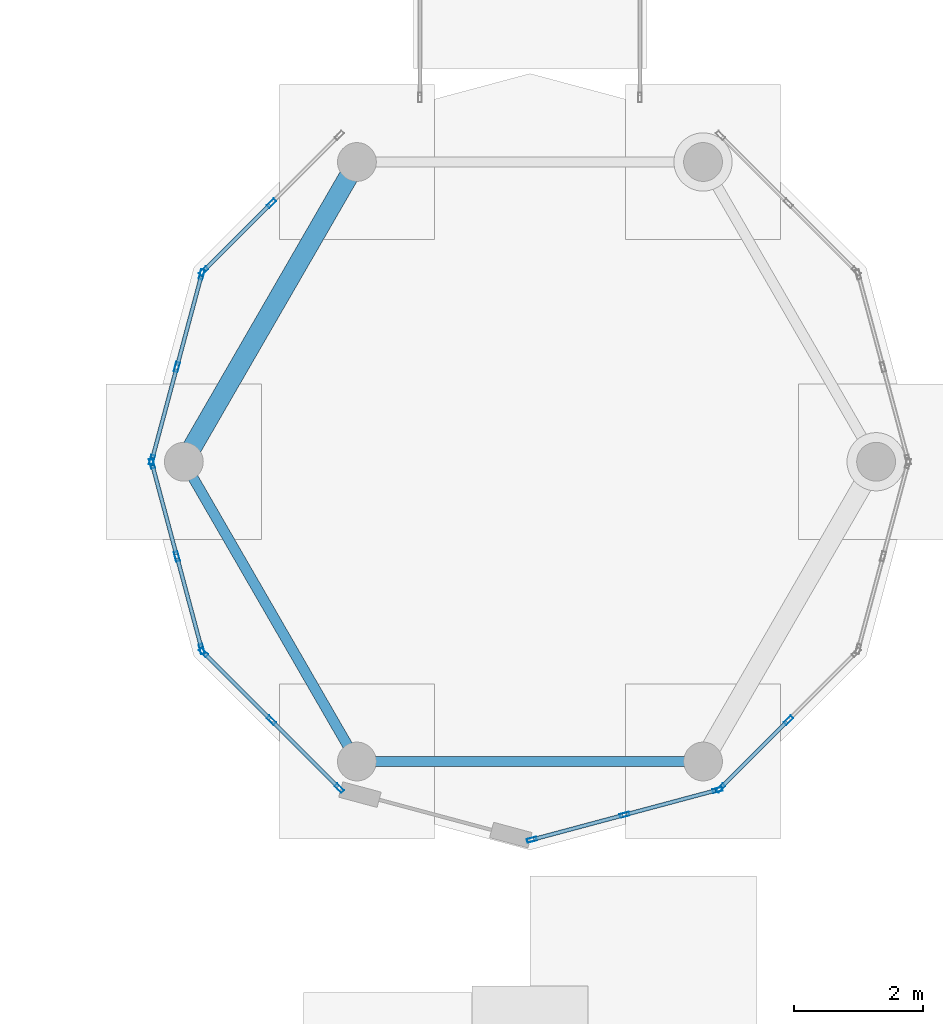
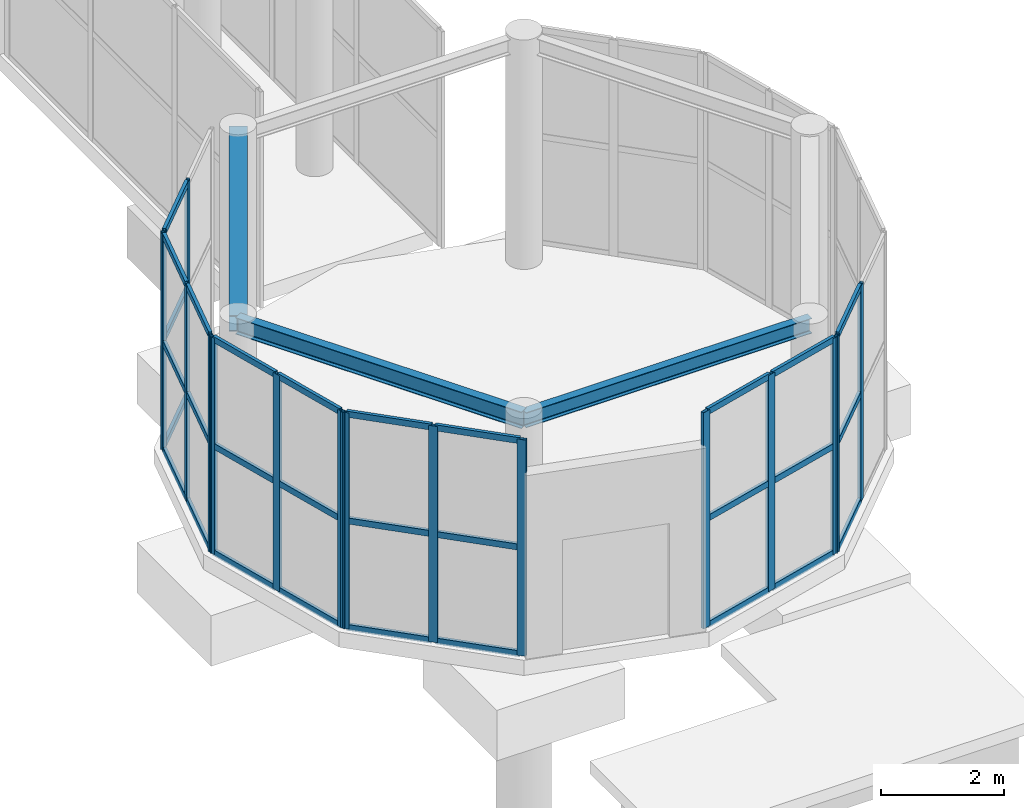
# One storey, part 52 of 139: 46 members, 3 beams, 6 elements without a shape of their own.
"""IFC4 building model written with IfcOpenShell, lengths in metres."""

from ifc_helpers import new_model, si_unit, direction, frame, origin, origin_2d, place, context, subcontext, project, spatial, hollow_rectangle, i_section, extrude, material, layer, layer_set, material_profile, profile_set, type_object, element, aggregate, save


model = new_model("IFC4")

# Units and contexts
model_context = context("Model", 3, precision=1e-05, world=origin(), true_north=direction((0.0, 1.0)))
body_context = subcontext(model_context, "Body", "Model", "MODEL_VIEW")
ifc_project = project(units=[si_unit("LENGTHUNIT", "METRE"), si_unit("AREAUNIT", "SQUARE_METRE"), si_unit("VOLUMEUNIT", "CUBIC_METRE"), si_unit("PLANEANGLEUNIT", "RADIAN"), si_unit("MASSUNIT", "GRAM", prefix="KILO")], contexts=[model_context])

# Site, building, storey
site_placement = place(None, origin())
site = spatial("IfcSite", under=ifc_project, at=site_placement, CompositionType="ELEMENT")
building_placement = place(site_placement, origin())
building = spatial("IfcBuilding", under=site, at=building_placement, Name="Zizhar Promenade General Hospital", CompositionType="ELEMENT")
storey_placement = place(building_placement, origin())
storey = spatial("IfcBuildingStorey", under=building, at=storey_placement, Name="L00", CompositionType="ELEMENT", Elevation=0.0)

# Beams
ifc_material_1 = material(Name="Steel S355", Category="steel")
ifc_material_profile_1 = material_profile(ifc_material_1, i_section(OverallWidth=0.300048828125, OverallDepth=0.320068359375, WebThickness=0.011474609375, FlangeThickness=0.0205078125, FilletRadius=0.027099609375, at=origin_2d()))
ifc_profile_set_1 = profile_set([ifc_material_profile_1], Name="Steel S355")
beam_type_1 = type_object("IfcBeamType", Name="BM-STL-HEB320", PredefinedType="BEAM", material=ifc_profile_set_1)
beam_1_placement = place(storey_placement, frame((180.324951171875, 32.63330078125, 4.340087890625), z_axis=(-0.500001594578, -0.866024483152, 0.0), x_axis=(0.866024483152, -0.500001594578, 0.0)))
element("IfcBeam", 1, at=beam_1_placement, inside=storey, type_object=beam_type_1, Name="PAV-3 Roof Ring Beam 3", PredefinedType="BEAM", context=body_context, shape_type="SweptSolid", body=[
    extrude(i_section(OverallWidth=0.300048828125, OverallDepth=0.320068359375, WebThickness=0.011474609375, FlangeThickness=0.0205078125, FilletRadius=0.027099609375, at=origin_2d()), origin(), (0.0, 0.0, 1.0), 5.35009765625),
])
ifc_material_2 = material(Name="Steel S355", Category="steel")
ifc_material_profile_2 = material_profile(ifc_material_2, i_section(OverallWidth=0.14990234375, OverallDepth=0.300048828125, WebThickness=0.007080078125, FlangeThickness=0.0107421875, FilletRadius=0.014892578125, at=origin_2d()))
ifc_profile_set_2 = profile_set([ifc_material_profile_2], Name="Steel S355")
beam_type_2 = type_object("IfcBeamType", Name="BM-STL-IPE300", PredefinedType="JOIST", material=ifc_profile_set_2)
beam_2_placement = place(storey_placement, frame((180.324951171875, 23.36669921875, 4.340087890625), z_axis=(1.0, 0.0, 0.0), x_axis=(0.0, 1.0, 0.0)))
element("IfcBeam", 2, at=beam_2_placement, inside=storey, type_object=beam_type_2, Name="PAV-3 Roof Ring Beam 5", PredefinedType="JOIST", context=body_context, shape_type="SweptSolid", body=[
    extrude(i_section(OverallWidth=0.14990234375, OverallDepth=0.300048828125, WebThickness=0.007080078125, FlangeThickness=0.0107421875, FilletRadius=0.014892578125, at=origin_2d()), origin(), (0.0, 0.0, 1.0), 5.35009765625),
])
ifc_material_3 = material(Name="Steel S355", Category="steel")
ifc_material_profile_3 = material_profile(ifc_material_3, i_section(OverallWidth=0.159912109375, OverallDepth=0.330078125, WebThickness=0.007568359375, FlangeThickness=0.011474609375, FilletRadius=0.01806640625, at=origin_2d()))
ifc_profile_set_3 = profile_set([ifc_material_profile_3], Name="Steel S355")
beam_type_3 = type_object("IfcBeamType", Name="BM-STL-IPE330", PredefinedType="JOIST", material=ifc_profile_set_3)
beam_3_placement = place(storey_placement, frame((177.64990234375, 28.0, 4.340087890625), z_axis=(0.500001594578, -0.866024483152, 0.0), x_axis=(0.866024483152, 0.500001594578, 0.0)))
element("IfcBeam", 3, at=beam_3_placement, inside=storey, type_object=beam_type_3, Name="PAV-3 Roof Ring Beam 4", PredefinedType="JOIST", context=body_context, shape_type="SweptSolid", body=[
    extrude(i_section(OverallWidth=0.159912109375, OverallDepth=0.330078125, WebThickness=0.007568359375, FlangeThickness=0.011474609375, FilletRadius=0.01806640625, at=origin_2d()), origin(), (0.0, 0.0, 1.0), 5.35009765625),
])

# Curtain wall, members
ifc_material_4 = material(Name="Anodised aluminium 6063-T6 and low-E glass", Category="aluminium")
ifc_layer = layer(ifc_material_4, 0.159912109375)
ifc_layer_set = layer_set([ifc_layer], Name="Anodised aluminium 6063-T6 and low-E glass")
curtain_wall_type = type_object("IfcCurtainWallType", Name="CW-PAV-GLZ", PredefinedType="NOTDEFINED", material=ifc_layer_set)
curtain_wall_1_placement = place(storey_placement, origin())
curtain_wall_1 = element("IfcCurtainWall", 4, at=curtain_wall_1_placement, inside=storey, type_object=curtain_wall_type, Name="Community Health Information Pavilion Curved Glazing 5", PredefinedType="NOTDEFINED")
ifc_material_5 = material(Name="Anodised aluminium 6063-T6", Category="aluminium")
ifc_material_profile_4 = material_profile(ifc_material_5, hollow_rectangle(XDim=0.06005859375, YDim=0.14990234375, WallThickness=0.00390625, at=origin_2d()))
ifc_profile_set_4 = profile_set([ifc_material_profile_4], Name="Anodised aluminium 6063-T6")
member_type_1 = type_object("IfcMemberType", Name="CWM-ALU-150x60", PredefinedType="MULLION", material=ifc_profile_set_4)
member_1_placement = place(storey_placement, frame((177.955078125, 30.9462890625, 0.0), z_axis=(0.0, 0.0, 1.0), x_axis=(-0.707106781187, 0.707106781187, 0.0)))
member_1 = element("IfcMember", 5, at=member_1_placement, type_object=member_type_1, Name="CW-14 mullion 1", PredefinedType="MULLION", context=body_context, shape_type="SweptSolid", body=[
    extrude(hollow_rectangle(XDim=0.06005859375, YDim=0.14990234375, WallThickness=0.00390625, at=origin_2d()), origin(), (0.0, 0.0, 1.0), 4.280029296875),
])
member_2_placement = place(storey_placement, frame((179.00439453125, 31.99560546875, 0.0), z_axis=(0.0, 0.0, 1.0), x_axis=(-0.707106781187, 0.707106781187, 0.0)))
member_2 = element("IfcMember", 6, at=member_2_placement, type_object=member_type_1, Name="CW-14 mullion 2", PredefinedType="MULLION", context=body_context, shape_type="SweptSolid", body=[
    extrude(hollow_rectangle(XDim=0.06005859375, YDim=0.14990234375, WallThickness=0.00390625, at=origin_2d()), origin(), (0.0, 0.0, 1.0), 4.280029296875),
])

curtain_wall_2_placement = place(storey_placement, origin())
curtain_wall_2 = element("IfcCurtainWall", 7, at=curtain_wall_2_placement, inside=storey, type_object=curtain_wall_type, Name="Community Health Information Pavilion Curved Glazing 6", PredefinedType="NOTDEFINED")
member_3_placement = place(storey_placement, frame((177.15771484375, 28.029052734375, 0.0), z_axis=(0.0, 0.0, 1.0), x_axis=(-0.965921812881, 0.25883402288, 0.0)))
member_3 = element("IfcMember", 8, at=member_3_placement, type_object=member_type_1, Name="CW-14 mullion 1", PredefinedType="MULLION", context=body_context, shape_type="SweptSolid", body=[
    extrude(hollow_rectangle(XDim=0.06005859375, YDim=0.14990234375, WallThickness=0.00390625, at=origin_2d()), origin(), (0.0, 0.0, 1.0), 4.280029296875),
])
member_4_placement = place(storey_placement, frame((177.5419921875, 29.46240234375, 0.0), z_axis=(0.0, 0.0, 1.0), x_axis=(-0.965921812881, 0.25883402288, 0.0)))
member_4 = element("IfcMember", 9, at=member_4_placement, type_object=member_type_1, Name="CW-14 mullion 2", PredefinedType="MULLION", context=body_context, shape_type="SweptSolid", body=[
    extrude(hollow_rectangle(XDim=0.06005859375, YDim=0.14990234375, WallThickness=0.00390625, at=origin_2d()), origin(), (0.0, 0.0, 1.0), 4.280029296875),
])
member_5_placement = place(storey_placement, frame((177.926025390625, 30.89599609375, 0.0), z_axis=(0.0, 0.0, 1.0), x_axis=(-0.965921812881, 0.25883402288, 0.0)))
member_5 = element("IfcMember", 10, at=member_5_placement, type_object=member_type_1, Name="CW-14 mullion 3", PredefinedType="MULLION", context=body_context, shape_type="SweptSolid", body=[
    extrude(hollow_rectangle(XDim=0.06005859375, YDim=0.14990234375, WallThickness=0.00390625, at=origin_2d()), origin(), (0.0, 0.0, 1.0), 4.280029296875),
])

curtain_wall_3_placement = place(storey_placement, origin())
curtain_wall_3 = element("IfcCurtainWall", 11, at=curtain_wall_3_placement, inside=storey, type_object=curtain_wall_type, Name="Community Health Information Pavilion Curved Glazing 7", PredefinedType="NOTDEFINED")
member_6_placement = place(storey_placement, frame((177.926025390625, 25.10400390625, 0.0), z_axis=(0.0, 0.0, 1.0), x_axis=(-0.965921812881, -0.25883402288, 0.0)))
member_6 = element("IfcMember", 12, at=member_6_placement, type_object=member_type_1, Name="CW-14 mullion 1", PredefinedType="MULLION", context=body_context, shape_type="SweptSolid", body=[
    extrude(hollow_rectangle(XDim=0.06005859375, YDim=0.14990234375, WallThickness=0.00390625, at=origin_2d()), origin(), (0.0, 0.0, 1.0), 4.280029296875),
])
member_7_placement = place(storey_placement, frame((177.5419921875, 26.53759765625, 0.0), z_axis=(0.0, 0.0, 1.0), x_axis=(-0.965921812881, -0.25883402288, 0.0)))
member_7 = element("IfcMember", 13, at=member_7_placement, type_object=member_type_1, Name="CW-14 mullion 2", PredefinedType="MULLION", context=body_context, shape_type="SweptSolid", body=[
    extrude(hollow_rectangle(XDim=0.06005859375, YDim=0.14990234375, WallThickness=0.00390625, at=origin_2d()), origin(), (0.0, 0.0, 1.0), 4.280029296875),
])
member_8_placement = place(storey_placement, frame((177.15771484375, 27.970947265625, 0.0), z_axis=(0.0, 0.0, 1.0), x_axis=(-0.965921812881, -0.25883402288, 0.0)))
member_8 = element("IfcMember", 14, at=member_8_placement, type_object=member_type_1, Name="CW-14 mullion 3", PredefinedType="MULLION", context=body_context, shape_type="SweptSolid", body=[
    extrude(hollow_rectangle(XDim=0.06005859375, YDim=0.14990234375, WallThickness=0.00390625, at=origin_2d()), origin(), (0.0, 0.0, 1.0), 4.280029296875),
])

curtain_wall_4_placement = place(storey_placement, origin())
curtain_wall_4 = element("IfcCurtainWall", 15, at=curtain_wall_4_placement, inside=storey, type_object=curtain_wall_type, Name="Community Health Information Pavilion Curved Glazing 8", PredefinedType="NOTDEFINED")
member_9_placement = place(storey_placement, frame((180.0537109375, 22.955078125, 0.0), z_axis=(0.0, 0.0, 1.0), x_axis=(-0.707106781187, -0.707106781187, 0.0)))
member_9 = element("IfcMember", 16, at=member_9_placement, type_object=member_type_1, Name="CW-14 mullion 1", PredefinedType="MULLION", context=body_context, shape_type="SweptSolid", body=[
    extrude(hollow_rectangle(XDim=0.06005859375, YDim=0.14990234375, WallThickness=0.00390625, at=origin_2d()), origin(), (0.0, 0.0, 1.0), 4.280029296875),
])
member_10_placement = place(storey_placement, frame((179.00439453125, 24.00439453125, 0.0), z_axis=(0.0, 0.0, 1.0), x_axis=(-0.707106781187, -0.707106781187, 0.0)))
member_10 = element("IfcMember", 17, at=member_10_placement, type_object=member_type_1, Name="CW-14 mullion 2", PredefinedType="MULLION", context=body_context, shape_type="SweptSolid", body=[
    extrude(hollow_rectangle(XDim=0.06005859375, YDim=0.14990234375, WallThickness=0.00390625, at=origin_2d()), origin(), (0.0, 0.0, 1.0), 4.280029296875),
])
member_11_placement = place(storey_placement, frame((177.955078125, 25.0537109375, 0.0), z_axis=(0.0, 0.0, 1.0), x_axis=(-0.707106781187, -0.707106781187, 0.0)))
member_11 = element("IfcMember", 18, at=member_11_placement, type_object=member_type_1, Name="CW-14 mullion 3", PredefinedType="MULLION", context=body_context, shape_type="SweptSolid", body=[
    extrude(hollow_rectangle(XDim=0.06005859375, YDim=0.14990234375, WallThickness=0.00390625, at=origin_2d()), origin(), (0.0, 0.0, 1.0), 4.280029296875),
])

curtain_wall_5_placement = place(storey_placement, origin())
curtain_wall_5 = element("IfcCurtainWall", 19, at=curtain_wall_5_placement, inside=storey, type_object=curtain_wall_type, Name="Community Health Information Pavilion Curved Glazing 10", PredefinedType="NOTDEFINED")
member_12_placement = place(storey_placement, frame((185.89599609375, 22.926025390625, 0.0), z_axis=(0.0, 0.0, 1.0), x_axis=(0.25883402288, -0.965921812881, 0.0)))
member_12 = element("IfcMember", 20, at=member_12_placement, type_object=member_type_1, Name="CW-14 mullion 1", PredefinedType="MULLION", context=body_context, shape_type="SweptSolid", body=[
    extrude(hollow_rectangle(XDim=0.06005859375, YDim=0.14990234375, WallThickness=0.00390625, at=origin_2d()), origin(), (0.0, 0.0, 1.0), 4.280029296875),
])
member_13_placement = place(storey_placement, frame((184.46240234375, 22.5419921875, 0.0), z_axis=(0.0, 0.0, 1.0), x_axis=(0.25883402288, -0.965921812881, 0.0)))
member_13 = element("IfcMember", 21, at=member_13_placement, type_object=member_type_1, Name="CW-14 mullion 2", PredefinedType="MULLION", context=body_context, shape_type="SweptSolid", body=[
    extrude(hollow_rectangle(XDim=0.06005859375, YDim=0.14990234375, WallThickness=0.00390625, at=origin_2d()), origin(), (0.0, 0.0, 1.0), 4.280029296875),
])
member_14_placement = place(storey_placement, frame((183.029052734375, 22.15771484375, 0.0), z_axis=(0.0, 0.0, 1.0), x_axis=(0.25883402288, -0.965921812881, 0.0)))
member_14 = element("IfcMember", 22, at=member_14_placement, type_object=member_type_1, Name="CW-14 mullion 3", PredefinedType="MULLION", context=body_context, shape_type="SweptSolid", body=[
    extrude(hollow_rectangle(XDim=0.06005859375, YDim=0.14990234375, WallThickness=0.00390625, at=origin_2d()), origin(), (0.0, 0.0, 1.0), 4.280029296875),
])

curtain_wall_6_placement = place(storey_placement, origin())
curtain_wall_6 = element("IfcCurtainWall", 23, at=curtain_wall_6_placement, inside=storey, type_object=curtain_wall_type, Name="Community Health Information Pavilion Curved Glazing 11", PredefinedType="NOTDEFINED")
member_15_placement = place(storey_placement, frame((186.99560546875, 24.00439453125, 0.0), z_axis=(0.0, 0.0, 1.0), x_axis=(0.707106781187, -0.707106781187, 0.0)))
member_15 = element("IfcMember", 24, at=member_15_placement, type_object=member_type_1, Name="CW-14 mullion 2", PredefinedType="MULLION", context=body_context, shape_type="SweptSolid", body=[
    extrude(hollow_rectangle(XDim=0.06005859375, YDim=0.14990234375, WallThickness=0.00390625, at=origin_2d()), origin(), (0.0, 0.0, 1.0), 4.280029296875),
])
member_16_placement = place(storey_placement, frame((185.9462890625, 22.955078125, 0.0), z_axis=(0.0, 0.0, 1.0), x_axis=(0.707106781187, -0.707106781187, 0.0)))
member_16 = element("IfcMember", 25, at=member_16_placement, type_object=member_type_1, Name="CW-14 mullion 3", PredefinedType="MULLION", context=body_context, shape_type="SweptSolid", body=[
    extrude(hollow_rectangle(XDim=0.06005859375, YDim=0.14990234375, WallThickness=0.00390625, at=origin_2d()), origin(), (0.0, 0.0, 1.0), 4.280029296875),
])

# Member
ifc_material_6 = material(Name="Anodised aluminium 6063-T6", Category="aluminium")
ifc_material_profile_5 = material_profile(ifc_material_6, hollow_rectangle(XDim=0.06005859375, YDim=0.1201171875, WallThickness=0.00390625, at=origin_2d()))
ifc_profile_set_5 = profile_set([ifc_material_profile_5], Name="Anodised aluminium 6063-T6")
member_type_2 = type_object("IfcMemberType", Name="CWT-ALU-120x60", PredefinedType="USERDEFINED", material=ifc_profile_set_5)
member_17_placement = place(storey_placement, frame((177.976318359375, 30.967529296875, 0.030029296875), z_axis=(0.707106781187, 0.707106781187, 0.0), x_axis=(-0.707106781187, 0.707106781187, 0.0)))
member_17 = element("IfcMember", 26, at=member_17_placement, type_object=member_type_2, Name="CW-14 transom 1.1", ObjectType="TRANSOM", PredefinedType="USERDEFINED", context=body_context, shape_type="SweptSolid", body=[
    extrude(hollow_rectangle(XDim=0.06005859375, YDim=0.1201171875, WallThickness=0.00390625, at=origin_2d()), origin(), (0.0, 0.0, 1.0), 1.423828125),
])

member_18_placement = place(storey_placement, frame((177.976318359375, 30.967529296875, 2.139892578125), z_axis=(0.707106781187, 0.707106781187, 0.0), x_axis=(-0.707106781187, 0.707106781187, 0.0)))
member_18 = element("IfcMember", 27, at=member_18_placement, type_object=member_type_2, Name="CW-14 transom 1.2", ObjectType="TRANSOM", PredefinedType="USERDEFINED", context=body_context, shape_type="SweptSolid", body=[
    extrude(hollow_rectangle(XDim=0.06005859375, YDim=0.1201171875, WallThickness=0.00390625, at=origin_2d()), origin(), (0.0, 0.0, 1.0), 1.423828125),
])

member_19_placement = place(storey_placement, frame((177.976318359375, 30.967529296875, 4.25), z_axis=(0.707106781187, 0.707106781187, 0.0), x_axis=(-0.707106781187, 0.707106781187, 0.0)))
member_19 = element("IfcMember", 28, at=member_19_placement, type_object=member_type_2, Name="CW-14 transom 1.3", ObjectType="TRANSOM", PredefinedType="USERDEFINED", context=body_context, shape_type="SweptSolid", body=[
    extrude(hollow_rectangle(XDim=0.06005859375, YDim=0.1201171875, WallThickness=0.00390625, at=origin_2d()), origin(), (0.0, 0.0, 1.0), 1.423828125),
])

aggregate(curtain_wall_1, [member_1, member_2, member_17, member_18, member_19])

member_20_placement = place(storey_placement, frame((177.16552734375, 28.057861328125, 0.030029296875), z_axis=(0.258836045938, 0.965921270769, 0.0), x_axis=(-0.965921270769, 0.258836045938, 0.0)))
member_20 = element("IfcMember", 29, at=member_20_placement, type_object=member_type_2, Name="CW-14 transom 1.1", ObjectType="TRANSOM", PredefinedType="USERDEFINED", context=body_context, shape_type="SweptSolid", body=[
    extrude(hollow_rectangle(XDim=0.06005859375, YDim=0.1201171875, WallThickness=0.00390625, at=origin_2d()), origin(), (0.0, 0.0, 1.0), 1.42431640625),
])

member_21_placement = place(storey_placement, frame((177.16552734375, 28.057861328125, 2.139892578125), z_axis=(0.258836045938, 0.965921270769, 0.0), x_axis=(-0.965921270769, 0.258836045938, 0.0)))
member_21 = element("IfcMember", 30, at=member_21_placement, type_object=member_type_2, Name="CW-14 transom 1.2", ObjectType="TRANSOM", PredefinedType="USERDEFINED", context=body_context, shape_type="SweptSolid", body=[
    extrude(hollow_rectangle(XDim=0.06005859375, YDim=0.1201171875, WallThickness=0.00390625, at=origin_2d()), origin(), (0.0, 0.0, 1.0), 1.42431640625),
])

member_22_placement = place(storey_placement, frame((177.16552734375, 28.057861328125, 4.25), z_axis=(0.258836045938, 0.965921270769, 0.0), x_axis=(-0.965921270769, 0.258836045938, 0.0)))
member_22 = element("IfcMember", 31, at=member_22_placement, type_object=member_type_2, Name="CW-14 transom 1.3", ObjectType="TRANSOM", PredefinedType="USERDEFINED", context=body_context, shape_type="SweptSolid", body=[
    extrude(hollow_rectangle(XDim=0.06005859375, YDim=0.1201171875, WallThickness=0.00390625, at=origin_2d()), origin(), (0.0, 0.0, 1.0), 1.42431640625),
])

member_23_placement = place(storey_placement, frame((177.549560546875, 29.491455078125, 0.030029296875), z_axis=(0.258878909043, 0.965909783806, 0.0), x_axis=(-0.965909783806, 0.258878909043, 0.0)))
member_23 = element("IfcMember", 32, at=member_23_placement, type_object=member_type_2, Name="CW-14 transom 2.1", ObjectType="TRANSOM", PredefinedType="USERDEFINED", context=body_context, shape_type="SweptSolid", body=[
    extrude(hollow_rectangle(XDim=0.06005859375, YDim=0.1201171875, WallThickness=0.00390625, at=origin_2d()), origin(), (0.0, 0.0, 1.0), 1.424072265625),
])

member_24_placement = place(storey_placement, frame((177.549560546875, 29.491455078125, 2.139892578125), z_axis=(0.258878909043, 0.965909783806, 0.0), x_axis=(-0.965909783806, 0.258878909043, 0.0)))
member_24 = element("IfcMember", 33, at=member_24_placement, type_object=member_type_2, Name="CW-14 transom 2.2", ObjectType="TRANSOM", PredefinedType="USERDEFINED", context=body_context, shape_type="SweptSolid", body=[
    extrude(hollow_rectangle(XDim=0.06005859375, YDim=0.1201171875, WallThickness=0.00390625, at=origin_2d()), origin(), (0.0, 0.0, 1.0), 1.424072265625),
])

member_25_placement = place(storey_placement, frame((177.549560546875, 29.491455078125, 4.25), z_axis=(0.258878909043, 0.965909783806, 0.0), x_axis=(-0.965909783806, 0.258878909043, 0.0)))
member_25 = element("IfcMember", 34, at=member_25_placement, type_object=member_type_2, Name="CW-14 transom 2.3", ObjectType="TRANSOM", PredefinedType="USERDEFINED", context=body_context, shape_type="SweptSolid", body=[
    extrude(hollow_rectangle(XDim=0.06005859375, YDim=0.1201171875, WallThickness=0.00390625, at=origin_2d()), origin(), (0.0, 0.0, 1.0), 1.424072265625),
])

aggregate(curtain_wall_2, [member_3, member_4, member_5, member_20, member_21, member_22, member_23, member_24, member_25])

member_26_placement = place(storey_placement, frame((177.918212890625, 25.133056640625, 0.030029296875), z_axis=(-0.258878909043, 0.965909783806, 0.0), x_axis=(-0.965909783806, -0.258878909043, 0.0)))
member_26 = element("IfcMember", 35, at=member_26_placement, type_object=member_type_2, Name="CW-14 transom 1.1", ObjectType="TRANSOM", PredefinedType="USERDEFINED", context=body_context, shape_type="SweptSolid", body=[
    extrude(hollow_rectangle(XDim=0.06005859375, YDim=0.1201171875, WallThickness=0.00390625, at=origin_2d()), origin(), (0.0, 0.0, 1.0), 1.424072265625),
])

member_27_placement = place(storey_placement, frame((177.918212890625, 25.133056640625, 2.139892578125), z_axis=(-0.258878909043, 0.965909783806, 0.0), x_axis=(-0.965909783806, -0.258878909043, 0.0)))
member_27 = element("IfcMember", 36, at=member_27_placement, type_object=member_type_2, Name="CW-14 transom 1.2", ObjectType="TRANSOM", PredefinedType="USERDEFINED", context=body_context, shape_type="SweptSolid", body=[
    extrude(hollow_rectangle(XDim=0.06005859375, YDim=0.1201171875, WallThickness=0.00390625, at=origin_2d()), origin(), (0.0, 0.0, 1.0), 1.424072265625),
])

member_28_placement = place(storey_placement, frame((177.918212890625, 25.133056640625, 4.25), z_axis=(-0.258878909043, 0.965909783806, 0.0), x_axis=(-0.965909783806, -0.258878909043, 0.0)))
member_28 = element("IfcMember", 37, at=member_28_placement, type_object=member_type_2, Name="CW-14 transom 1.3", ObjectType="TRANSOM", PredefinedType="USERDEFINED", context=body_context, shape_type="SweptSolid", body=[
    extrude(hollow_rectangle(XDim=0.06005859375, YDim=0.1201171875, WallThickness=0.00390625, at=origin_2d()), origin(), (0.0, 0.0, 1.0), 1.424072265625),
])

member_29_placement = place(storey_placement, frame((177.5341796875, 26.56640625, 0.030029296875), z_axis=(-0.258836045938, 0.965921270769, 0.0), x_axis=(-0.965921270769, -0.258836045938, 0.0)))
member_29 = element("IfcMember", 38, at=member_29_placement, type_object=member_type_2, Name="CW-14 transom 2.1", ObjectType="TRANSOM", PredefinedType="USERDEFINED", context=body_context, shape_type="SweptSolid", body=[
    extrude(hollow_rectangle(XDim=0.06005859375, YDim=0.1201171875, WallThickness=0.00390625, at=origin_2d()), origin(), (0.0, 0.0, 1.0), 1.42431640625),
])

member_30_placement = place(storey_placement, frame((177.5341796875, 26.56640625, 2.139892578125), z_axis=(-0.258836045938, 0.965921270769, 0.0), x_axis=(-0.965921270769, -0.258836045938, 0.0)))
member_30 = element("IfcMember", 39, at=member_30_placement, type_object=member_type_2, Name="CW-14 transom 2.2", ObjectType="TRANSOM", PredefinedType="USERDEFINED", context=body_context, shape_type="SweptSolid", body=[
    extrude(hollow_rectangle(XDim=0.06005859375, YDim=0.1201171875, WallThickness=0.00390625, at=origin_2d()), origin(), (0.0, 0.0, 1.0), 1.42431640625),
])

member_31_placement = place(storey_placement, frame((177.5341796875, 26.56640625, 4.25), z_axis=(-0.258836045938, 0.965921270769, 0.0), x_axis=(-0.965921270769, -0.258836045938, 0.0)))
member_31 = element("IfcMember", 40, at=member_31_placement, type_object=member_type_2, Name="CW-14 transom 2.3", ObjectType="TRANSOM", PredefinedType="USERDEFINED", context=body_context, shape_type="SweptSolid", body=[
    extrude(hollow_rectangle(XDim=0.06005859375, YDim=0.1201171875, WallThickness=0.00390625, at=origin_2d()), origin(), (0.0, 0.0, 1.0), 1.42431640625),
])

aggregate(curtain_wall_3, [member_6, member_7, member_8, member_26, member_27, member_28, member_29, member_30, member_31])

member_32_placement = place(storey_placement, frame((180.032470703125, 22.976318359375, 0.030029296875), z_axis=(-0.707106781187, 0.707106781187, 0.0), x_axis=(-0.707106781187, -0.707106781187, 0.0)))
member_32 = element("IfcMember", 41, at=member_32_placement, type_object=member_type_2, Name="CW-14 transom 1.1", ObjectType="TRANSOM", PredefinedType="USERDEFINED", context=body_context, shape_type="SweptSolid", body=[
    extrude(hollow_rectangle(XDim=0.06005859375, YDim=0.1201171875, WallThickness=0.00390625, at=origin_2d()), origin(), (0.0, 0.0, 1.0), 1.423828125),
])

member_33_placement = place(storey_placement, frame((180.032470703125, 22.976318359375, 2.139892578125), z_axis=(-0.707106781187, 0.707106781187, 0.0), x_axis=(-0.707106781187, -0.707106781187, 0.0)))
member_33 = element("IfcMember", 42, at=member_33_placement, type_object=member_type_2, Name="CW-14 transom 1.2", ObjectType="TRANSOM", PredefinedType="USERDEFINED", context=body_context, shape_type="SweptSolid", body=[
    extrude(hollow_rectangle(XDim=0.06005859375, YDim=0.1201171875, WallThickness=0.00390625, at=origin_2d()), origin(), (0.0, 0.0, 1.0), 1.423828125),
])

member_34_placement = place(storey_placement, frame((180.032470703125, 22.976318359375, 4.25), z_axis=(-0.707106781187, 0.707106781187, 0.0), x_axis=(-0.707106781187, -0.707106781187, 0.0)))
member_34 = element("IfcMember", 43, at=member_34_placement, type_object=member_type_2, Name="CW-14 transom 1.3", ObjectType="TRANSOM", PredefinedType="USERDEFINED", context=body_context, shape_type="SweptSolid", body=[
    extrude(hollow_rectangle(XDim=0.06005859375, YDim=0.1201171875, WallThickness=0.00390625, at=origin_2d()), origin(), (0.0, 0.0, 1.0), 1.423828125),
])

member_35_placement = place(storey_placement, frame((178.983154296875, 24.025634765625, 0.030029296875), z_axis=(-0.707106781187, 0.707106781187, 0.0), x_axis=(-0.707106781187, -0.707106781187, 0.0)))
member_35 = element("IfcMember", 44, at=member_35_placement, type_object=member_type_2, Name="CW-14 transom 2.1", ObjectType="TRANSOM", PredefinedType="USERDEFINED", context=body_context, shape_type="SweptSolid", body=[
    extrude(hollow_rectangle(XDim=0.06005859375, YDim=0.1201171875, WallThickness=0.00390625, at=origin_2d()), origin(), (0.0, 0.0, 1.0), 1.423828125),
])

member_36_placement = place(storey_placement, frame((178.983154296875, 24.025634765625, 2.139892578125), z_axis=(-0.707106781187, 0.707106781187, 0.0), x_axis=(-0.707106781187, -0.707106781187, 0.0)))
member_36 = element("IfcMember", 45, at=member_36_placement, type_object=member_type_2, Name="CW-14 transom 2.2", ObjectType="TRANSOM", PredefinedType="USERDEFINED", context=body_context, shape_type="SweptSolid", body=[
    extrude(hollow_rectangle(XDim=0.06005859375, YDim=0.1201171875, WallThickness=0.00390625, at=origin_2d()), origin(), (0.0, 0.0, 1.0), 1.423828125),
])

member_37_placement = place(storey_placement, frame((178.983154296875, 24.025634765625, 4.25), z_axis=(-0.707106781187, 0.707106781187, 0.0), x_axis=(-0.707106781187, -0.707106781187, 0.0)))
member_37 = element("IfcMember", 46, at=member_37_placement, type_object=member_type_2, Name="CW-14 transom 2.3", ObjectType="TRANSOM", PredefinedType="USERDEFINED", context=body_context, shape_type="SweptSolid", body=[
    extrude(hollow_rectangle(XDim=0.06005859375, YDim=0.1201171875, WallThickness=0.00390625, at=origin_2d()), origin(), (0.0, 0.0, 1.0), 1.423828125),
])

aggregate(curtain_wall_4, [member_9, member_10, member_11, member_32, member_33, member_34, member_35, member_36, member_37])

member_38_placement = place(storey_placement, frame((185.866943359375, 22.918212890625, 0.030029296875), z_axis=(-0.965909783806, -0.258878909043, 0.0), x_axis=(0.258878909043, -0.965909783806, 0.0)))
member_38 = element("IfcMember", 47, at=member_38_placement, type_object=member_type_2, Name="CW-14 transom 1.1", ObjectType="TRANSOM", PredefinedType="USERDEFINED", context=body_context, shape_type="SweptSolid", body=[
    extrude(hollow_rectangle(XDim=0.06005859375, YDim=0.1201171875, WallThickness=0.00390625, at=origin_2d()), origin(), (0.0, 0.0, 1.0), 1.424072265625),
])

member_39_placement = place(storey_placement, frame((185.866943359375, 22.918212890625, 2.139892578125), z_axis=(-0.965909783806, -0.258878909043, 0.0), x_axis=(0.258878909043, -0.965909783806, 0.0)))
member_39 = element("IfcMember", 48, at=member_39_placement, type_object=member_type_2, Name="CW-14 transom 1.2", ObjectType="TRANSOM", PredefinedType="USERDEFINED", context=body_context, shape_type="SweptSolid", body=[
    extrude(hollow_rectangle(XDim=0.06005859375, YDim=0.1201171875, WallThickness=0.00390625, at=origin_2d()), origin(), (0.0, 0.0, 1.0), 1.424072265625),
])

member_40_placement = place(storey_placement, frame((185.866943359375, 22.918212890625, 4.25), z_axis=(-0.965909783806, -0.258878909043, 0.0), x_axis=(0.258878909043, -0.965909783806, 0.0)))
member_40 = element("IfcMember", 49, at=member_40_placement, type_object=member_type_2, Name="CW-14 transom 1.3", ObjectType="TRANSOM", PredefinedType="USERDEFINED", context=body_context, shape_type="SweptSolid", body=[
    extrude(hollow_rectangle(XDim=0.06005859375, YDim=0.1201171875, WallThickness=0.00390625, at=origin_2d()), origin(), (0.0, 0.0, 1.0), 1.424072265625),
])

member_41_placement = place(storey_placement, frame((184.43359375, 22.5341796875, 0.030029296875), z_axis=(-0.965921270769, -0.258836045938, 0.0), x_axis=(0.258836045938, -0.965921270769, 0.0)))
member_41 = element("IfcMember", 50, at=member_41_placement, type_object=member_type_2, Name="CW-14 transom 2.1", ObjectType="TRANSOM", PredefinedType="USERDEFINED", context=body_context, shape_type="SweptSolid", body=[
    extrude(hollow_rectangle(XDim=0.06005859375, YDim=0.1201171875, WallThickness=0.00390625, at=origin_2d()), origin(), (0.0, 0.0, 1.0), 1.42431640625),
])

member_42_placement = place(storey_placement, frame((184.43359375, 22.5341796875, 2.139892578125), z_axis=(-0.965921270769, -0.258836045938, 0.0), x_axis=(0.258836045938, -0.965921270769, 0.0)))
member_42 = element("IfcMember", 51, at=member_42_placement, type_object=member_type_2, Name="CW-14 transom 2.2", ObjectType="TRANSOM", PredefinedType="USERDEFINED", context=body_context, shape_type="SweptSolid", body=[
    extrude(hollow_rectangle(XDim=0.06005859375, YDim=0.1201171875, WallThickness=0.00390625, at=origin_2d()), origin(), (0.0, 0.0, 1.0), 1.42431640625),
])

member_43_placement = place(storey_placement, frame((184.43359375, 22.5341796875, 4.25), z_axis=(-0.965921270769, -0.258836045938, 0.0), x_axis=(0.258836045938, -0.965921270769, 0.0)))
member_43 = element("IfcMember", 52, at=member_43_placement, type_object=member_type_2, Name="CW-14 transom 2.3", ObjectType="TRANSOM", PredefinedType="USERDEFINED", context=body_context, shape_type="SweptSolid", body=[
    extrude(hollow_rectangle(XDim=0.06005859375, YDim=0.1201171875, WallThickness=0.00390625, at=origin_2d()), origin(), (0.0, 0.0, 1.0), 1.42431640625),
])

aggregate(curtain_wall_5, [member_12, member_13, member_14, member_38, member_39, member_40, member_41, member_42, member_43])

member_44_placement = place(storey_placement, frame((186.974365234375, 23.983154296875, 0.030029296875), z_axis=(-0.707106781187, -0.707106781187, 0.0), x_axis=(0.707106781187, -0.707106781187, 0.0)))
member_44 = element("IfcMember", 53, at=member_44_placement, type_object=member_type_2, Name="CW-14 transom 2.1", ObjectType="TRANSOM", PredefinedType="USERDEFINED", context=body_context, shape_type="SweptSolid", body=[
    extrude(hollow_rectangle(XDim=0.06005859375, YDim=0.1201171875, WallThickness=0.00390625, at=origin_2d()), origin(), (0.0, 0.0, 1.0), 1.423828125),
])

member_45_placement = place(storey_placement, frame((186.974365234375, 23.983154296875, 2.139892578125), z_axis=(-0.707106781187, -0.707106781187, 0.0), x_axis=(0.707106781187, -0.707106781187, 0.0)))
member_45 = element("IfcMember", 54, at=member_45_placement, type_object=member_type_2, Name="CW-14 transom 2.2", ObjectType="TRANSOM", PredefinedType="USERDEFINED", context=body_context, shape_type="SweptSolid", body=[
    extrude(hollow_rectangle(XDim=0.06005859375, YDim=0.1201171875, WallThickness=0.00390625, at=origin_2d()), origin(), (0.0, 0.0, 1.0), 1.423828125),
])

member_46_placement = place(storey_placement, frame((186.974365234375, 23.983154296875, 4.25), z_axis=(-0.707106781187, -0.707106781187, 0.0), x_axis=(0.707106781187, -0.707106781187, 0.0)))
member_46 = element("IfcMember", 55, at=member_46_placement, type_object=member_type_2, Name="CW-14 transom 2.3", ObjectType="TRANSOM", PredefinedType="USERDEFINED", context=body_context, shape_type="SweptSolid", body=[
    extrude(hollow_rectangle(XDim=0.06005859375, YDim=0.1201171875, WallThickness=0.00390625, at=origin_2d()), origin(), (0.0, 0.0, 1.0), 1.423828125),
])

aggregate(curtain_wall_6, [member_15, member_16, member_44, member_45, member_46])

save(model, "model.ifc")
